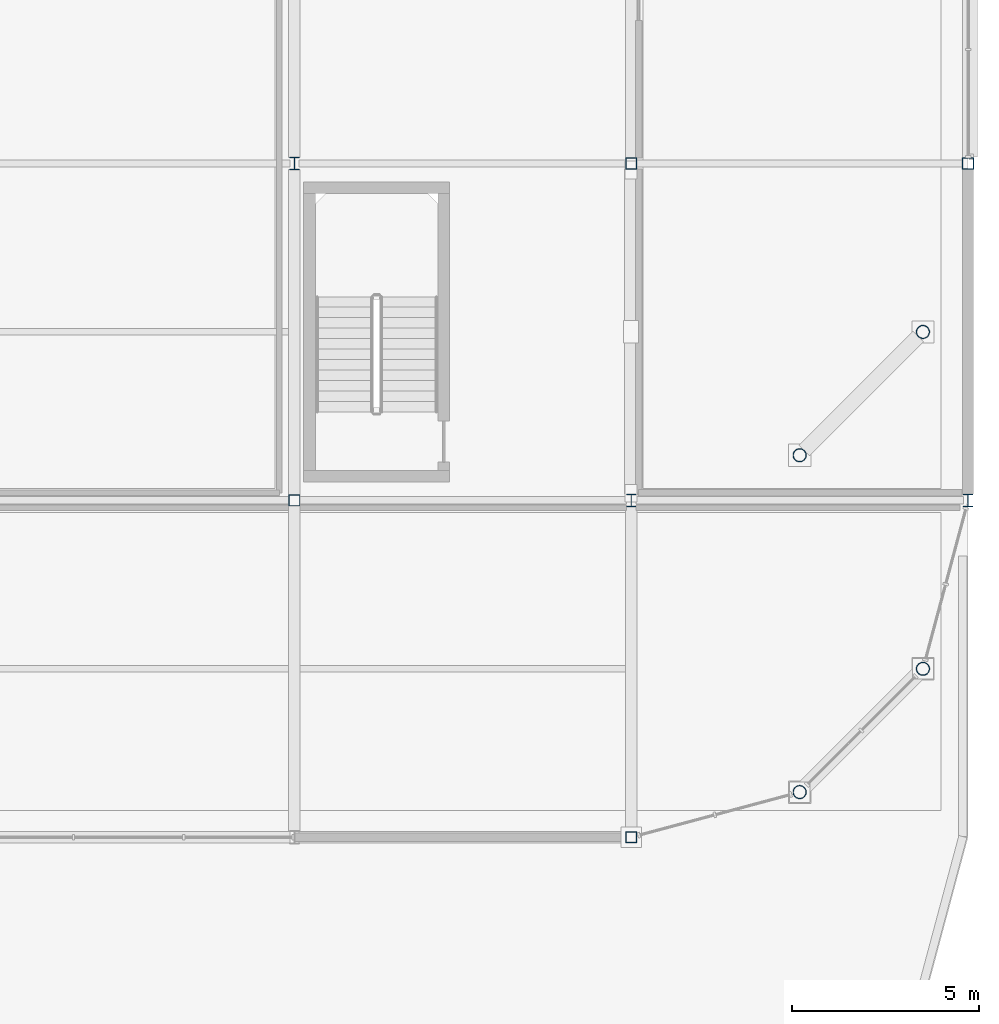
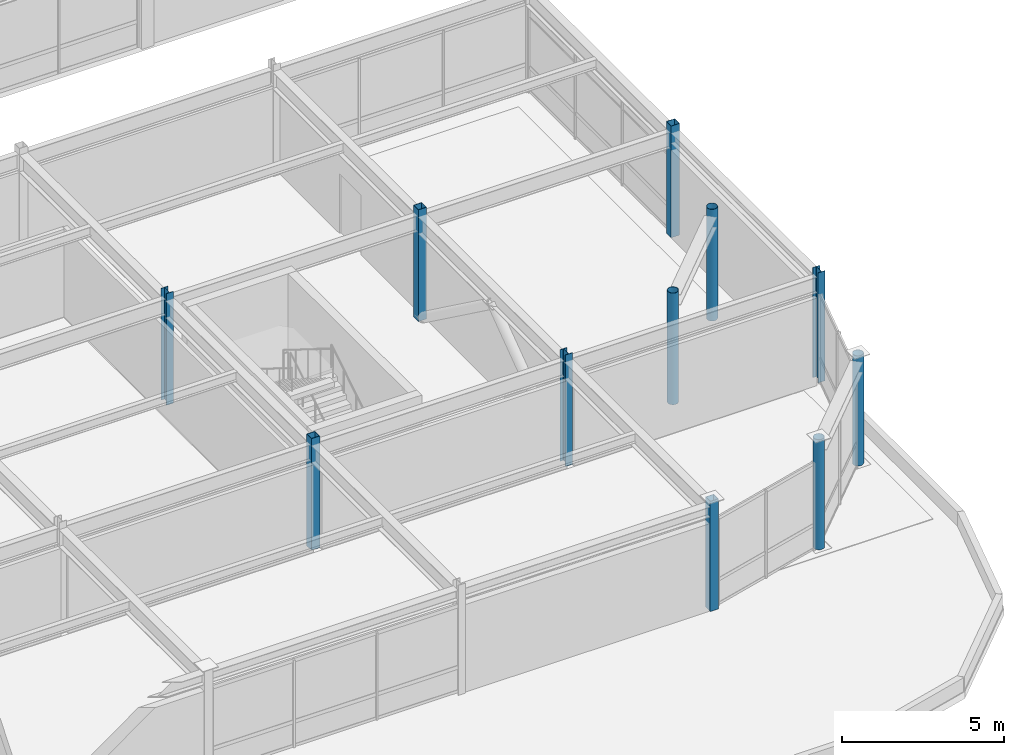
# One storey, part 18 of 108: 11 columns.
"""IFC4 building model written with IfcOpenShell, lengths in metres."""

from ifc_helpers import new_model, si_unit, direction, frame, origin, origin_2d, place, context, subcontext, project, spatial, hollow_rectangle, hollow_circle, i_section, extrude, material, material_profile, profile_set, type_object, element, save


model = new_model("IFC4")

# Units and contexts
model_context = context("Model", 3, precision=1e-05, world=origin(), true_north=direction((0.0, 1.0)))
body_context = subcontext(model_context, "Body", "Model", "MODEL_VIEW")
ifc_project = project(units=[si_unit("LENGTHUNIT", "METRE"), si_unit("AREAUNIT", "SQUARE_METRE"), si_unit("VOLUMEUNIT", "CUBIC_METRE"), si_unit("PLANEANGLEUNIT", "RADIAN"), si_unit("MASSUNIT", "GRAM", prefix="KILO")], contexts=[model_context])

# Site, building, storey
site_placement = place(None, origin())
site = spatial("IfcSite", under=ifc_project, at=site_placement, CompositionType="ELEMENT")
building_placement = place(site_placement, origin())
building = spatial("IfcBuilding", under=site, at=building_placement, Name="Suzunagisa Mobility Hub", CompositionType="ELEMENT")
storey_placement = place(building_placement, frame((0.0, 0.0, 9.300048828125)))
storey = spatial("IfcBuildingStorey", under=building, at=storey_placement, Name="L02", CompositionType="ELEMENT", Elevation=9.300048828125)

# Columns
ifc_material = material(Name="Steel SN490B", Category="steel")
ifc_material_profile_1 = material_profile(ifc_material, i_section(OverallWidth=0.25, OverallDepth=0.340087890625, WebThickness=0.009033203125, FlangeThickness=0.013916015625, FilletRadius=0.010009765625, at=origin_2d()), Name="H-340x250x9x14")
ifc_profile_set_1 = profile_set([ifc_material_profile_1], Name="Steel SN490B")
column_type_1 = type_object("IfcColumnType", Name="Steel Column CL-02 H-340x250x9x14", PredefinedType="COLUMN", material=ifc_profile_set_1)
for number, where, z_axis, x_axis, name in (
    (1, (162.0, 27.0, 0.0), (0.0, 0.0, 1.0), (1.0, 0.0, 0.0), "L02 Column 286"),
    (2, (171.0, 18.0, 0.0), (0.0, 0.0, 1.0), (1.0, 0.0, 0.0), "L02 Column 298"),
):
    element("IfcColumn", number, at=place(storey_placement, frame(where, z_axis=z_axis, x_axis=x_axis)), inside=storey, type_object=column_type_1, Name=name, PredefinedType="COLUMN", context=body_context, shape_type="SweptSolid", body=[
        extrude(i_section(OverallWidth=0.25, OverallDepth=0.340087890625, WebThickness=0.009033203125, FlangeThickness=0.013916015625, FilletRadius=0.010009765625, at=origin_2d()), origin(), (0.0, 0.0, 1.0), 4.199951171875),
    ])
column_1_placement = place(storey_placement, frame((180.0, 18.0, 0.0), z_axis=(0.0, 0.0, 1.0), x_axis=(1.0, 0.0, 0.0)))
element("IfcColumn", 3, at=column_1_placement, inside=storey, type_object=column_type_1, Name="L02 Column 322", PredefinedType="COLUMN", context=body_context, shape_type="SweptSolid", body=[
    extrude(i_section(OverallWidth=0.25, OverallDepth=0.340087890625, WebThickness=0.009033203125, FlangeThickness=0.013916015625, FilletRadius=0.010009765625, at=origin_2d()), origin(), (0.0, 0.0, 1.0), 4.139892578125),
])
ifc_material_profile_2 = material_profile(ifc_material, hollow_rectangle(XDim=0.300048828125, YDim=0.300048828125, WallThickness=0.011962890625, at=origin_2d()), Name="BCR-300x300x12")
ifc_profile_set_2 = profile_set([ifc_material_profile_2], Name="Steel SN490B")
column_type_2 = type_object("IfcColumnType", Name="Steel Column CL-12 BCR-300x300x12", PredefinedType="COLUMN", material=ifc_profile_set_2)
column_2_placement = place(storey_placement, frame((162.0, 18.0, 0.0), z_axis=(0.0, 0.0, 1.0), x_axis=(1.0, 0.0, 0.0)))
element("IfcColumn", 4, at=column_2_placement, inside=storey, type_object=column_type_2, Name="L02 Column 285", PredefinedType="COLUMN", context=body_context, shape_type="SweptSolid", body=[
    extrude(hollow_rectangle(XDim=0.300048828125, YDim=0.300048828125, WallThickness=0.011962890625, at=origin_2d()), origin(), (0.0, 0.0, 1.0), 4.199951171875),
])
column_3_placement = place(storey_placement, frame((171.0, 9.0, 0.0), z_axis=(0.0, 0.0, 1.0), x_axis=(1.0, 0.0, 0.0)))
element("IfcColumn", 5, at=column_3_placement, inside=storey, type_object=column_type_2, Name="L02 Column 297", PredefinedType="COLUMN", context=body_context, shape_type="SweptSolid", body=[
    extrude(hollow_rectangle(XDim=0.300048828125, YDim=0.300048828125, WallThickness=0.011962890625, at=origin_2d()), origin(), (0.0, 0.0, 1.0), 4.139892578125),
])
for number, where, z_axis, x_axis, name in (
    (6, (171.0, 27.0, 0.0), (0.0, 0.0, 1.0), (1.0, 0.0, 0.0), "L02 Column 299"),
    (7, (180.0, 27.0, 0.0), (0.0, 0.0, 1.0), (1.0, 0.0, 0.0), "L02 Column 323"),
):
    element("IfcColumn", number, at=place(storey_placement, frame(where, z_axis=z_axis, x_axis=x_axis)), inside=storey, type_object=column_type_2, Name=name, PredefinedType="COLUMN", context=body_context, shape_type="SweptSolid", body=[
        extrude(hollow_rectangle(XDim=0.300048828125, YDim=0.300048828125, WallThickness=0.011962890625, at=origin_2d()), origin(), (0.0, 0.0, 1.0), 4.199951171875),
    ])
ifc_material_profile_3 = material_profile(ifc_material, hollow_circle(Radius=0.177734375, WallThickness=0.0126953125, at=origin_2d()), Name="CHS-355.6x12.7")
ifc_profile_set_3 = profile_set([ifc_material_profile_3], Name="Steel SN490B")
column_type_3 = type_object("IfcColumnType", Name="Steel Column CL-18 CHS-355.6x12.7", PredefinedType="COLUMN", material=ifc_profile_set_3)
column_4_placement = place(storey_placement, frame((175.5, 10.205810546875, 0.0), z_axis=(0.0, 0.0, 1.0), x_axis=(1.0, 0.0, 0.0)))
element("IfcColumn", 8, at=column_4_placement, inside=storey, type_object=column_type_3, Name="L02 Column 310", PredefinedType="COLUMN", context=body_context, shape_type="SweptSolid", body=[
    extrude(hollow_circle(Radius=0.177734375, WallThickness=0.0126953125, at=origin_2d()), origin(), (0.0, 0.0, 1.0), 4.139892578125),
])
column_5_placement = place(storey_placement, frame((175.5, 19.205810546875, 0.0), z_axis=(0.0, 0.0, 1.0), x_axis=(1.0, 0.0, 0.0)))
element("IfcColumn", 9, at=column_5_placement, inside=storey, type_object=column_type_3, Name="L02 Column 311", PredefinedType="COLUMN", context=body_context, shape_type="SweptSolid", body=[
    extrude(hollow_circle(Radius=0.177734375, WallThickness=0.0126953125, at=origin_2d()), origin(), (0.0, 0.0, 1.0), 4.199951171875),
])
column_6_placement = place(storey_placement, frame((178.794189453125, 13.5, 0.0), z_axis=(0.0, 0.0, 1.0), x_axis=(1.0, 0.0, 0.0)))
element("IfcColumn", 10, at=column_6_placement, inside=storey, type_object=column_type_3, Name="L02 Column 316", PredefinedType="COLUMN", context=body_context, shape_type="SweptSolid", body=[
    extrude(hollow_circle(Radius=0.177734375, WallThickness=0.0126953125, at=origin_2d()), origin(), (0.0, 0.0, 1.0), 4.139892578125),
])
column_7_placement = place(storey_placement, frame((178.794189453125, 22.5, 0.0), z_axis=(0.0, 0.0, 1.0), x_axis=(1.0, 0.0, 0.0)))
element("IfcColumn", 11, at=column_7_placement, inside=storey, type_object=column_type_3, Name="L02 Column 317", PredefinedType="COLUMN", context=body_context, shape_type="SweptSolid", body=[
    extrude(hollow_circle(Radius=0.177734375, WallThickness=0.0126953125, at=origin_2d()), origin(), (0.0, 0.0, 1.0), 4.199951171875),
])

save(model, "model.ifc")
